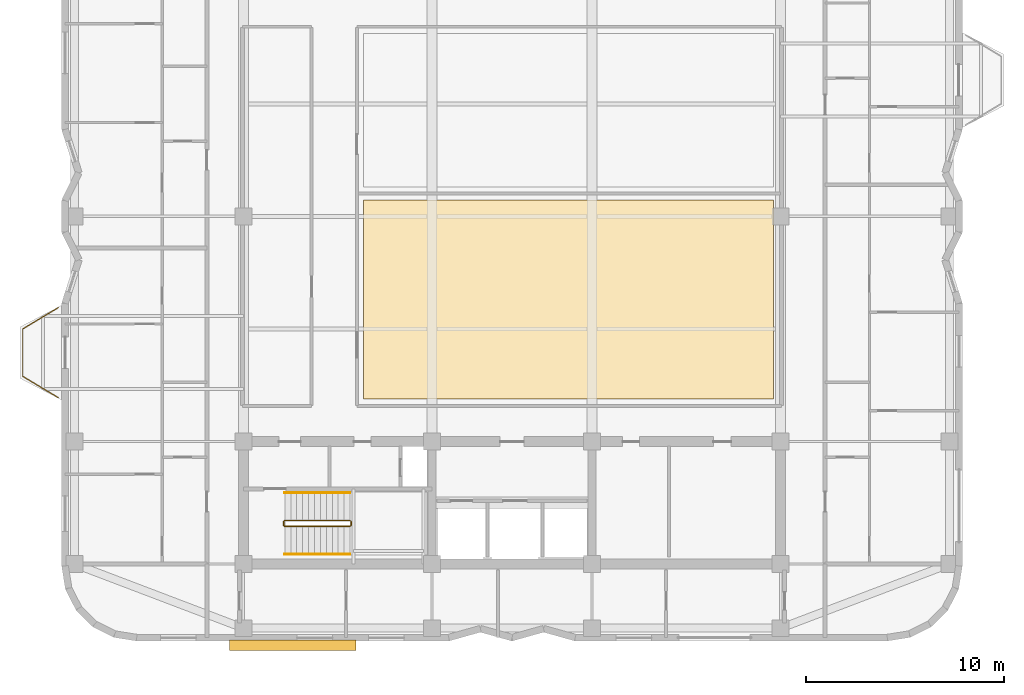
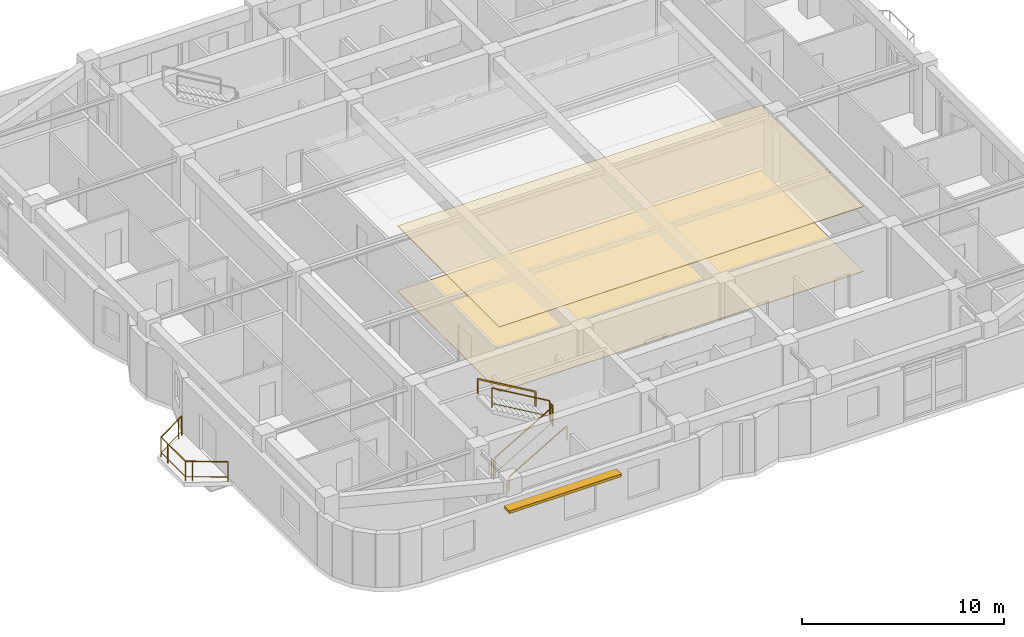
# One storey, part 10 of 11: 7 railings, 2 coverings, 1 shading device.
"""IFC4 building model written with IfcOpenShell, lengths in metres."""

from ifc_helpers import new_model, si_unit, direction, frame, origin, origin_2d, place, context, subcontext, project, spatial, polyline, rectangle, outline, extrude, material, layer, layer_set, type_object, element, save


model = new_model("IFC4")

# Units and contexts
model_context = context("Model", 3, precision=1e-05, world=origin(), true_north=direction((0.0, 1.0)))
body_context = subcontext(model_context, "Body", "Model", "MODEL_VIEW")
ifc_project = project(units=[si_unit("LENGTHUNIT", "METRE"), si_unit("AREAUNIT", "SQUARE_METRE"), si_unit("VOLUMEUNIT", "CUBIC_METRE"), si_unit("PLANEANGLEUNIT", "RADIAN"), si_unit("MASSUNIT", "GRAM", prefix="KILO")], contexts=[model_context])

# Site, building, storey
site_placement = place(None, origin())
site = spatial("IfcSite", under=ifc_project, at=site_placement, CompositionType="ELEMENT")
building_placement = place(site_placement, origin())
building = spatial("IfcBuilding", under=site, at=building_placement, Name="Svetorya Sky Lyceum", CompositionType="ELEMENT")
storey_placement = place(building_placement, frame((0.0, 0.0, 203.10009765625)))
storey = spatial("IfcBuildingStorey", under=building, at=storey_placement, Name="L50", CompositionType="ELEMENT", Elevation=203.10009765625)

# Coverings
ifc_material_1 = material(Name="Fire-retardant birch acoustic slat ceiling")
ifc_layer_1 = layer(ifc_material_1, 0.031982421875)
ifc_layer_set_1 = layer_set([ifc_layer_1], Name="Fire-retardant birch acoustic slat ceiling")
covering_type_1 = type_object("IfcCoveringType", Name="COV-CLG-WD32", PredefinedType="CEILING", material=ifc_layer_set_1)
covering_1_placement = place(storey_placement, frame((0.0, 0.0, 3.907958984375)))
element("IfcCovering", 1, at=covering_1_placement, inside=storey, type_object=covering_type_1, Name="Sky Lobby L50 High-Rise Hall Acoustic Ceiling", PredefinedType="CEILING", context=body_context, shape_type="SweptSolid", body=[
    extrude(outline(polyline([(31.669921875, 18.949951171875), (52.449951171875, 18.949951171875), (52.449951171875, 29.018310546875), (31.669921875, 29.018310546875), (31.669921875, 18.949951171875)])), origin(), (0.0, 0.0, 1.0), 0.031982421875),
])
ifc_material_2 = material(Name="Vitrified porcelain slip-resistant tile flooring")
ifc_layer_2 = layer(ifc_material_2, 0.02587890625)
ifc_layer_set_2 = layer_set([ifc_layer_2], Name="Vitrified porcelain slip-resistant tile flooring")
covering_type_2 = type_object("IfcCoveringType", Name="COV-FLR-POR26", PredefinedType="FLOORING", material=ifc_layer_set_2)
covering_2_placement = place(storey_placement, origin())
element("IfcCovering", 2, at=covering_2_placement, inside=storey, type_object=covering_type_2, Name="Sky Lobby L50 High-Rise Hall Architectural Flooring", PredefinedType="FLOORING", context=body_context, shape_type="SweptSolid", body=[
    extrude(outline(polyline([(31.669921875, 18.949951171875), (52.449951171875, 18.949951171875), (52.449951171875, 29.018310546875), (31.669921875, 29.018310546875), (31.669921875, 18.949951171875)])), origin(), (0.0, 0.0, 1.0), 0.02587890625),
])

# Railings
ifc_material_3 = material(Name="Laminated safety glass and stainless AISI 316", Category="glass")
railing_type_1 = type_object("IfcRailingType", Name="RL-BAL-1200", PredefinedType="BALUSTRADE", material=ifc_material_3)
railing_1_placement = place(storey_placement, frame((16.22998046875, 19.02001953125, 0.0)))
element("IfcRailing", 3, at=railing_1_placement, inside=storey, type_object=railing_type_1, Name="L50 Balcony Balustrade BAL-W1", PredefinedType="BALUSTRADE", context=body_context, shape_type="SweptSolid", body=[
    extrude(rectangle(XDim=0.048095703125, YDim=0.048095703125, at=origin_2d()), frame((0.0, 0.0, 1.17578125), z_axis=(-0.857482663744, 0.514512858321, 0.0), x_axis=(-0.514512858321, -0.857482663744, 0.0)), (0.0, 0.0, 1.0), 2.09912109375),
    extrude(rectangle(XDim=0.02392578125, YDim=0.02392578125, at=origin_2d()), frame((0.0, 0.0, 0.25), z_axis=(-0.857482663744, 0.514512858321, 0.0), x_axis=(-0.514512858321, -0.857482663744, 0.0)), (0.0, 0.0, 1.0), 2.09912109375),
    extrude(rectangle(XDim=0.048095703125, YDim=0.048095703125, at=origin_2d()), frame((-1.800048828125, 1.080078125, 1.17578125), z_axis=(0.0, 1.0, 0.0), x_axis=(-1.0, 0.0, 0.0)), (0.0, 0.0, 1.0), 2.39990234375),
    extrude(rectangle(XDim=0.02392578125, YDim=0.02392578125, at=origin_2d()), frame((-1.800048828125, 1.080078125, 0.25), z_axis=(0.0, 1.0, 0.0), x_axis=(-1.0, 0.0, 0.0)), (0.0, 0.0, 1.0), 2.39990234375),
    extrude(rectangle(XDim=0.048095703125, YDim=0.048095703125, at=origin_2d()), frame((-1.800048828125, 3.47998046875, 1.17578125), z_axis=(0.857482663744, 0.514512858321, 0.0), x_axis=(-0.514512858321, 0.857482663744, 0.0)), (0.0, 0.0, 1.0), 2.09912109375),
    extrude(rectangle(XDim=0.02392578125, YDim=0.02392578125, at=origin_2d()), frame((-1.800048828125, 3.47998046875, 0.25), z_axis=(0.857482663744, 0.514512858321, 0.0), x_axis=(-0.514512858321, 0.857482663744, 0.0)), (0.0, 0.0, 1.0), 2.09912109375),
    extrude(rectangle(XDim=0.0419921875, YDim=0.0419921875, at=origin_2d()), origin(), (0.0, 0.0, 1.0), 1.15185546875),
    extrude(rectangle(XDim=0.0419921875, YDim=0.0419921875, at=origin_2d()), frame((-1.50048828125, 0.900390625, 0.0)), (0.0, 0.0, 1.0), 1.15185546875),
    extrude(rectangle(XDim=0.0419921875, YDim=0.0419921875, at=origin_2d()), frame((-1.800048828125, 1.080078125, 0.0)), (0.0, 0.0, 1.0), 1.15185546875),
    extrude(rectangle(XDim=0.0419921875, YDim=0.0419921875, at=origin_2d()), frame((-1.800048828125, 2.830078125, 0.0)), (0.0, 0.0, 1.0), 1.15185546875),
    extrude(rectangle(XDim=0.0419921875, YDim=0.0419921875, at=origin_2d()), frame((-1.800048828125, 3.47998046875, 0.0)), (0.0, 0.0, 1.0), 1.15185546875),
    extrude(rectangle(XDim=0.0419921875, YDim=0.0419921875, at=origin_2d()), frame((-0.299560546875, 4.38037109375, 0.0)), (0.0, 0.0, 1.0), 1.15185546875),
    extrude(rectangle(XDim=0.0419921875, YDim=0.0419921875, at=origin_2d()), frame((0.0, 4.56005859375, 0.0)), (0.0, 0.0, 1.0), 1.15185546875),
])
ifc_material_4 = material(Name="Painted galvanized stair well guard")
railing_type_2 = type_object("IfcRailingType", Name="RL-STR-GUARD-1200", PredefinedType="GUARDRAIL", material=ifc_material_4)
railing_2_placement = place(storey_placement, frame((27.699951171875, 12.5, 0.1748046875)))
element("IfcRailing", 4, at=railing_2_placement, inside=storey, type_object=railing_type_2, Name="L50 ST-S stair guard 1", PredefinedType="GUARDRAIL", context=body_context, shape_type="SweptSolid", body=[
    extrude(rectangle(XDim=0.048095703125, YDim=0.048095703125, at=origin_2d()), frame((0.0, 0.0, 1.17578125), z_axis=(0.863776583165, 0.0, 0.503874998761), x_axis=(0.0, 1.0, 0.0)), (0.0, 0.0, 1.0), 3.820556640625),
    extrude(rectangle(XDim=0.02392578125, YDim=0.02392578125, at=origin_2d()), frame((0.0, 0.0, 0.25), z_axis=(0.863776583165, 0.0, 0.503874998761), x_axis=(0.0, 1.0, 0.0)), (0.0, 0.0, 1.0), 3.820556640625),
    extrude(rectangle(XDim=0.0419921875, YDim=0.0419921875, at=origin_2d()), origin(), (0.0, 0.0, 1.0), 1.15185546875),
    extrude(rectangle(XDim=0.0419921875, YDim=0.0419921875, at=origin_2d()), frame((3.300048828125, 0.0, 1.925048828125)), (0.0, 0.0, 1.0), 1.15185546875),
])
railing_3_placement = place(storey_placement, frame((31.050048828125, 12.550048828125, 2.099853515625)))
element("IfcRailing", 5, at=railing_3_placement, inside=storey, type_object=railing_type_2, Name="L50 ST-S stair guard 2", PredefinedType="GUARDRAIL", context=body_context, shape_type="SweptSolid", body=[
    extrude(rectangle(XDim=0.048095703125, YDim=0.048095703125, at=origin_2d()), frame((0.0, 0.0, 1.17578125), z_axis=(0.0, 1.0, 0.0), x_axis=(-1.0, 0.0, 0.0)), (0.0, 0.0, 1.0), 0.199951171875),
    extrude(rectangle(XDim=0.02392578125, YDim=0.02392578125, at=origin_2d()), frame((0.0, 0.0, 0.25), z_axis=(0.0, 1.0, 0.0), x_axis=(-1.0, 0.0, 0.0)), (0.0, 0.0, 1.0), 0.199951171875),
    extrude(rectangle(XDim=0.0419921875, YDim=0.0419921875, at=origin_2d()), origin(), (0.0, 0.0, 1.0), 1.15185546875),
    extrude(rectangle(XDim=0.0419921875, YDim=0.0419921875, at=origin_2d()), frame((0.0, 0.199951171875, 0.0)), (0.0, 0.0, 1.0), 1.15185546875),
])
railing_4_placement = place(storey_placement, frame((31.0, 12.800048828125, 2.27490234375)))
element("IfcRailing", 6, at=railing_4_placement, inside=storey, type_object=railing_type_2, Name="L50 ST-S stair guard 3", PredefinedType="GUARDRAIL", context=body_context, shape_type="SweptSolid", body=[
    extrude(rectangle(XDim=0.048095703125, YDim=0.048095703125, at=origin_2d()), frame((0.0, 0.0, 1.17578125), z_axis=(-0.863776583165, 0.0, 0.503874998761), x_axis=(0.0, -1.0, 0.0)), (0.0, 0.0, 1.0), 3.820556640625),
    extrude(rectangle(XDim=0.02392578125, YDim=0.02392578125, at=origin_2d()), frame((0.0, 0.0, 0.25), z_axis=(-0.863776583165, 0.0, 0.503874998761), x_axis=(0.0, -1.0, 0.0)), (0.0, 0.0, 1.0), 3.820556640625),
    extrude(rectangle(XDim=0.0419921875, YDim=0.0419921875, at=origin_2d()), origin(), (0.0, 0.0, 1.0), 1.15185546875),
    extrude(rectangle(XDim=0.0419921875, YDim=0.0419921875, at=origin_2d()), frame((-3.300048828125, 0.0, 1.925048828125)), (0.0, 0.0, 1.0), 1.15185546875),
])
railing_5_placement = place(storey_placement, frame((27.64990234375, 12.550048828125, 0.0)))
element("IfcRailing", 7, at=railing_5_placement, inside=storey, type_object=railing_type_2, Name="L50 ST-S stair guard 4", PredefinedType="GUARDRAIL", context=body_context, shape_type="SweptSolid", body=[
    extrude(rectangle(XDim=0.048095703125, YDim=0.048095703125, at=origin_2d()), frame((0.0, 0.0, 1.17578125), z_axis=(0.0, 1.0, 0.0), x_axis=(-1.0, 0.0, 0.0)), (0.0, 0.0, 1.0), 0.199951171875),
    extrude(rectangle(XDim=0.02392578125, YDim=0.02392578125, at=origin_2d()), frame((0.0, 0.0, 0.25), z_axis=(0.0, 1.0, 0.0), x_axis=(-1.0, 0.0, 0.0)), (0.0, 0.0, 1.0), 0.199951171875),
    extrude(rectangle(XDim=0.0419921875, YDim=0.0419921875, at=origin_2d()), origin(), (0.0, 0.0, 1.0), 1.15185546875),
    extrude(rectangle(XDim=0.0419921875, YDim=0.0419921875, at=origin_2d()), frame((0.0, 0.199951171875, 0.0)), (0.0, 0.0, 1.0), 1.15185546875),
])
ifc_material_5 = material(Name="Brushed stainless AISI 304 stair handrail")
railing_type_3 = type_object("IfcRailingType", Name="RL-STR-HAND-920", PredefinedType="HANDRAIL", material=ifc_material_5)
railing_6_placement = place(storey_placement, frame((27.699951171875, 11.10009765625, 0.1748046875)))
element("IfcRailing", 8, at=railing_6_placement, inside=storey, type_object=railing_type_3, Name="L50 ST-S stair handrail 1", PredefinedType="HANDRAIL", context=body_context, shape_type="SweptSolid", body=[
    extrude(rectangle(XDim=0.048095703125, YDim=0.048095703125, at=origin_2d()), frame((0.0, 0.0, 0.8759765625), z_axis=(0.863776583165, 0.0, 0.503874998761), x_axis=(0.0, 1.0, 0.0)), (0.0, 0.0, 1.0), 3.820556640625),
    extrude(rectangle(XDim=0.0419921875, YDim=0.0419921875, at=origin_2d()), origin(), (0.0, 0.0, 1.0), 0.851806640625),
    extrude(rectangle(XDim=0.0419921875, YDim=0.0419921875, at=origin_2d()), frame((3.300048828125, 0.0, 1.925048828125)), (0.0, 0.0, 1.0), 0.851806640625),
])
railing_7_placement = place(storey_placement, frame((31.0, 14.199951171875, 2.27490234375)))
element("IfcRailing", 9, at=railing_7_placement, inside=storey, type_object=railing_type_3, Name="L50 ST-S stair handrail 2", PredefinedType="HANDRAIL", context=body_context, shape_type="SweptSolid", body=[
    extrude(rectangle(XDim=0.048095703125, YDim=0.048095703125, at=origin_2d()), frame((0.0, 0.0, 0.8759765625), z_axis=(-0.863776583165, 0.0, 0.503874998761), x_axis=(0.0, -1.0, 0.0)), (0.0, 0.0, 1.0), 3.820556640625),
    extrude(rectangle(XDim=0.0419921875, YDim=0.0419921875, at=origin_2d()), origin(), (0.0, 0.0, 1.0), 0.851806640625),
    extrude(rectangle(XDim=0.0419921875, YDim=0.0419921875, at=origin_2d()), frame((-3.300048828125, 0.0, 1.925048828125)), (0.0, 0.0, 1.0), 0.851806640625),
])

# Shading device
ifc_material_6 = material(Name="Champagne-anodized extruded aluminium sunshade", Category="aluminium")
ifc_layer_3 = layer(ifc_material_6, 0.159912109375)
ifc_layer_set_3 = layer_set([ifc_layer_3], Name="Champagne-anodized extruded aluminium sunshade")
shading_device_type = type_object("IfcShadingDeviceType", Name="SHD-LVR-540", PredefinedType="AWNING", material=ifc_layer_set_3)
shading_device_placement = place(storey_placement, frame((28.10009765625, 6.47998046875, 2.77001953125), z_axis=(0.0, 0.0, 1.0), x_axis=(1.0, 0.0, 0.0)))
element("IfcShadingDevice", 10, at=shading_device_placement, inside=storey, type_object=shading_device_type, Name="L50 Solar Brise-Soleil SHD-1.6M", PredefinedType="AWNING", context=body_context, shape_type="SweptSolid", body=[
    extrude(rectangle(XDim=6.39990234375, YDim=0.5400390625, at=origin_2d()), origin(), (0.0, 0.0, 1.0), 0.159912109375),
])

save(model, "model.ifc")
